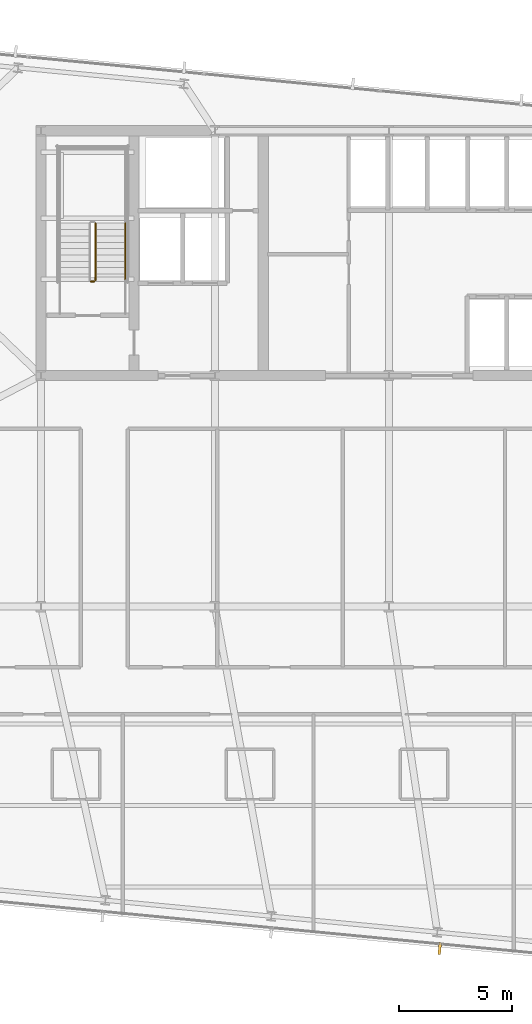
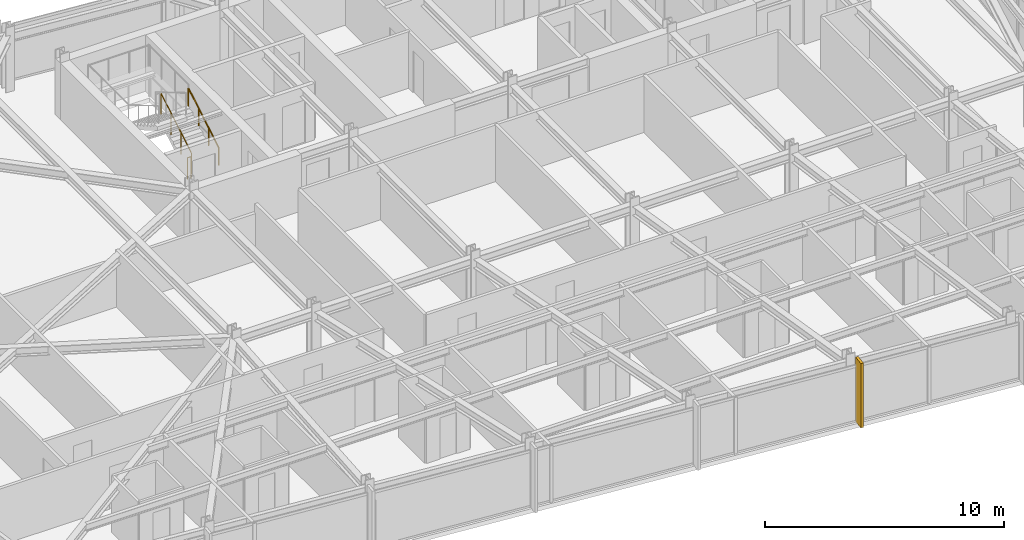
# One storey, part 34 of 37: 3 railings, 1 shading device.
"""IFC4 building model written with IfcOpenShell, lengths in metres."""

import ifcopenshell
import ifcopenshell.guid

model = None  # the IFC model being written
_history = None  # IfcOwnerHistory: only IFC2X3 demands one
_inside = {}  # id of a spatial element -> (the spatial element, [elements in it])
_under = {}  # id of a project, library or spatial element -> (it, [spatial elements below it])
_declared = {}  # id of a project -> (the project, [libraries it declares])
_typed = {}  # id of a type object -> (the type object, [elements of that type])
_made_of = {}  # id of a material, layer set ... -> (it, [elements and type objects made of it])


def new_model(schema):
    """Start an empty IFC model of exactly this schema.

    Asked for "IFC4X3", IfcOpenShell would pick the latest addendum, in which some entities
    have other attributes; the version numbers below select the first issue.
    IFC2X3 requires an IfcOwnerHistory on every rooted entity: one is made here for all.
    """
    global model, _history
    if schema == "IFC4X3":
        model = ifcopenshell.file(schema_version=(4, 3, 0, 0))
    else:
        model = ifcopenshell.file(schema=schema)
    _inside.clear()
    _under.clear()
    _declared.clear()
    _typed.clear()
    _made_of.clear()
    _history = None
    if model.schema == "IFC2X3":
        org = make("IfcOrganization", Name="unknown")
        user = make(
            "IfcPersonAndOrganization",
            ThePerson=make("IfcPerson", FamilyName="unknown"),
            TheOrganization=org,
        )
        app = make(
            "IfcApplication",
            ApplicationDeveloper=org,
            Version="unknown",
            ApplicationFullName="unknown",
            ApplicationIdentifier="unknown",
        )
        _history = make(
            "IfcOwnerHistory",
            OwningUser=user,
            OwningApplication=app,
            ChangeAction="ADDED",
            CreationDate=0,
        )
    return model


def make(cls, **values):
    """One entity of the class cls with the attributes given. An attribute that is None is left unset."""
    return model.create_entity(
        cls, **{name: value for name, value in values.items() if value is not None}
    )


def rooted(cls, **values):
    """An entity with a GlobalId (a new one), such as an element, a storey or a relation."""
    return make(cls, GlobalId=ifcopenshell.guid.new(), OwnerHistory=_history, **values)


def si_unit(unit_type, name, prefix=None):
    """IfcSIUnit, for example si_unit("LENGTHUNIT", "METRE", prefix="MILLI")."""
    return make("IfcSIUnit", UnitType=unit_type, Prefix=prefix, Name=name)


def assignment(units):
    """IfcUnitAssignment: the units of a project."""
    return None if units is None else make("IfcUnitAssignment", Units=units)


def point(xyz):
    """IfcCartesianPoint."""
    return None if xyz is None else make("IfcCartesianPoint", Coordinates=xyz)


def direction(xyz):
    """IfcDirection."""
    return None if xyz is None else make("IfcDirection", DirectionRatios=xyz)


def frame(location, z_axis=None, x_axis=None):
    """IfcAxis2Placement3D, a coordinate frame: its origin and axes. An axis left out is left unset."""
    return make(
        "IfcAxis2Placement3D",
        Location=point(location),
        Axis=direction(z_axis),
        RefDirection=direction(x_axis),
    )


def frame_2d(location, x_axis=None):
    """IfcAxis2Placement2D, a coordinate frame in the plane: its origin and x axis."""
    return make(
        "IfcAxis2Placement2D", Location=point(location), RefDirection=direction(x_axis)
    )


def origin():
    """The frame at (0, 0, 0) with its axes left unset."""
    return frame((0.0, 0.0, 0.0))


def origin_2d():
    """The frame at (0, 0) in the plane with its x axis left unset."""
    return frame_2d((0.0, 0.0))


def place(relative_to, where):
    """IfcLocalPlacement: puts the frame where relative to a parent placement (None: the world)."""
    return make(
        "IfcLocalPlacement", PlacementRelTo=relative_to, RelativePlacement=where
    )


def context(
    kind, dimensions, precision=None, world=None, true_north=None, identifier=None
):
    """IfcGeometricRepresentationContext, for example the 3D "Model" context."""
    return make(
        "IfcGeometricRepresentationContext",
        ContextIdentifier=identifier,
        ContextType=kind,
        CoordinateSpaceDimension=dimensions,
        Precision=precision,
        WorldCoordinateSystem=world,
        TrueNorth=true_north,
    )


def subcontext(parent, identifier, kind, view, scale=None):
    """IfcGeometricRepresentationSubContext, for example "Body" below "Model"."""
    return make(
        "IfcGeometricRepresentationSubContext",
        ContextIdentifier=identifier,
        ContextType=kind,
        ParentContext=parent,
        TargetScale=scale,
        TargetView=view,
    )


def project(units=None, contexts=None):
    """IfcProject with its units and contexts."""
    return rooted(
        "IfcProject",
        Name="project",
        RepresentationContexts=contexts,
        UnitsInContext=assignment(units),
    )


def spatial(cls, under=None, at=None, **own):
    """A site, building, storey or space (cls), placed at a placement, below another one or the project."""
    s = rooted(cls, ObjectPlacement=at, **own)
    if under is not None:
        _under.setdefault(under.id(), (under, []))[1].append(s)
    return s


def profile(cls, at=None, kind="AREA", **sizes):
    """A parametric profile (cls). Its sizes go by their IFC names, for example OverallWidth=200.0."""
    return make(cls, ProfileType=kind, Position=at, **sizes)


def rectangle(**sizes):
    """IfcRectangleProfileDef."""
    return profile("IfcRectangleProfileDef", **sizes)


def circle(**sizes):
    """IfcCircleProfileDef."""
    return profile("IfcCircleProfileDef", **sizes)


def extrude(swept, where, along, depth):
    """IfcExtrudedAreaSolid: the profile swept, set in the frame where, extruded along a direction by depth."""
    return make(
        "IfcExtrudedAreaSolid",
        SweptArea=swept,
        Position=where,
        ExtrudedDirection=direction(along),
        Depth=depth,
    )


def shape(context_of_items, identifier, shape_type, items):
    """IfcShapeRepresentation: the items that make up one representation, for example the "Body"."""
    return make(
        "IfcShapeRepresentation",
        ContextOfItems=context_of_items,
        RepresentationIdentifier=identifier,
        RepresentationType=shape_type,
        Items=items,
    )


def material(Name=None, Category=None):
    """IfcMaterial."""
    return make("IfcMaterial", Name=Name, Category=Category)


def layer(
    of_material, thickness, ventilated=None, Name=None, Category=None, Priority=None
):
    """IfcMaterialLayer: one layer of a wall or slab, of a material (None: an air gap)."""
    return make(
        "IfcMaterialLayer",
        Material=of_material,
        LayerThickness=thickness,
        IsVentilated=ventilated,
        Name=Name,
        Category=Category,
        Priority=Priority,
    )


def layer_set(layers, Name=None):
    """IfcMaterialLayerSet."""
    return make("IfcMaterialLayerSet", MaterialLayers=layers, LayerSetName=Name)


def made_of(thing, what):
    """Note that an element or type object is made of a material, layer set ...; save() writes the relation."""
    if what is not None:
        _made_of.setdefault(what.id(), (what, []))[1].append(thing)
    return thing


def type_object(cls, material=None, **own):
    """A type object (cls), such as IfcWallType, which elements share."""
    return made_of(rooted(cls, **own), material)


def element(
    cls,
    number,
    at=None,
    inside=None,
    cuts=None,
    type_object=None,
    material=None,
    context=None,
    identifier="Body",
    shape_type=None,
    held_by="IfcProductDefinitionShape",
    body=None,
    shapes=None,
    **own,
):
    """One element of the class cls, such as IfcWall. Its Tag is "e" and its number.

    at: its placement. inside: the storey or other place that contains it. cuts: it is an
    opening in that element (IfcRelVoidsElement). A single representation is given by context,
    identifier, shape_type and body (its items); several are given by shapes. held_by: the class
    of the entity that holds the representations. save() writes the other relations.
    """
    e = rooted(cls, Tag="e%d" % number, ObjectPlacement=at, **own)
    if body is not None:
        shapes = [shape(context, identifier, shape_type, body)]
    if shapes is not None:
        e.Representation = make(held_by, Representations=shapes)
    if inside is not None:
        _inside.setdefault(inside.id(), (inside, []))[1].append(e)
    if cuts is not None:
        rooted(
            "IfcRelVoidsElement", RelatingBuildingElement=cuts, RelatedOpeningElement=e
        )
    if type_object is not None:
        _typed.setdefault(type_object.id(), (type_object, []))[1].append(e)
    return made_of(e, material)


def aggregate(whole, parts):
    """IfcRelAggregates: a whole, such as a stair, and the parts it consists of."""
    return rooted("IfcRelAggregates", RelatingObject=whole, RelatedObjects=parts)


def save(model, path):
    """Write the relations noted so far, then the file.

    IfcRelAggregates (storeys below a building ...), IfcRelContainedInSpatialStructure (elements
    in a storey), IfcRelDefinesByType, IfcRelAssociatesMaterial and IfcRelDeclares: one each for
    every whole, place, type object, material and project.
    """
    for whole, parts in _under.values():
        aggregate(whole, parts)
    for where, things in _inside.values():
        rooted(
            "IfcRelContainedInSpatialStructure",
            RelatedElements=things,
            RelatingStructure=where,
        )
    for kind, things in _typed.values():
        rooted("IfcRelDefinesByType", RelatedObjects=things, RelatingType=kind)
    for what, things in _made_of.values():
        rooted("IfcRelAssociatesMaterial", RelatedObjects=things, RelatingMaterial=what)
    for by, libraries in _declared.values():
        rooted("IfcRelDeclares", RelatingContext=by, RelatedDefinitions=libraries)
    model.write(path)


model = new_model("IFC4")

# Units and contexts
model_context = context("Model", 3, precision=1e-05, world=origin(), true_north=direction((0.0, 1.0)))
body_context = subcontext(model_context, "Body", "Model", "MODEL_VIEW")
ifc_project = project(units=[si_unit("LENGTHUNIT", "METRE"), si_unit("AREAUNIT", "SQUARE_METRE"), si_unit("VOLUMEUNIT", "CUBIC_METRE"), si_unit("PLANEANGLEUNIT", "RADIAN"), si_unit("MASSUNIT", "GRAM", prefix="KILO")], contexts=[model_context])

# Site, building, storey
site_placement = place(None, origin())
site = spatial("IfcSite", under=ifc_project, at=site_placement, CompositionType="ELEMENT")
building_placement = place(site_placement, origin())
building = spatial("IfcBuilding", under=site, at=building_placement, Name="Yelkora Congress Tower", CompositionType="ELEMENT")
storey_placement = place(building_placement, frame((0.0, 0.0, 188.60009765625)))
storey = spatial("IfcBuildingStorey", under=building, at=storey_placement, Name="L52", CompositionType="ELEMENT", Elevation=188.60009765625)

# Railings
ifc_material_1 = material(Name="Painted galvanised steel stair well guard with vertical infill", Category="steel")
ifc_layer_1 = layer(ifc_material_1, 0.06005859375)
ifc_layer_set_1 = layer_set([ifc_layer_1], Name="Painted galvanised steel stair well guard with vertical infill")
railing_type_1 = type_object("IfcRailingType", Name="RAIL-STAIR-GUARD-1120", PredefinedType="GUARDRAIL", material=ifc_layer_set_1)
railing_1_placement = place(storey_placement, frame((25.449951171875, 39.60009765625, 0.164794921875)))
element("IfcRailing", 1, at=railing_1_placement, inside=storey, type_object=railing_type_1, Name="ST-01 L52 Stair Well Guardrail 1", PredefinedType="GUARDRAIL", context=body_context, shape_type="SweptSolid", body=[
    extrude(circle(Radius=0.02392578125, at=origin_2d()), frame((0.0, 0.0, 1.09619140625), z_axis=(0.0, 0.86152411907, 0.507716645641), x_axis=(-1.0, 0.0, 0.0)), (0.0, 0.0, 1.0), 2.925048828125),
    extrude(circle(Radius=0.02099609375, at=origin_2d()), origin(), (0.0, 0.0, 1.0), 1.072021484375),
    extrude(circle(Radius=0.02099609375, at=origin_2d()), frame((0.0, 0.840087890625, 0.4951171875)), (0.0, 0.0, 1.0), 1.072021484375),
    extrude(circle(Radius=0.02099609375, at=origin_2d()), frame((0.0, 1.679931640625, 0.989990234375)), (0.0, 0.0, 1.0), 1.072021484375),
    extrude(circle(Radius=0.02099609375, at=origin_2d()), frame((0.0, 2.52001953125, 1.485107421875)), (0.0, 0.0, 1.0), 1.072021484375),
])
railing_2_placement = place(storey_placement, frame((25.39990234375, 39.550048828125, 0.0)))
element("IfcRailing", 2, at=railing_2_placement, inside=storey, type_object=railing_type_1, Name="ST-01 L52 Stair Well Guardrail 7", PredefinedType="GUARDRAIL", context=body_context, shape_type="SweptSolid", body=[
    extrude(circle(Radius=0.02392578125, at=origin_2d()), frame((0.0, 0.0, 1.09619140625), z_axis=(-1.0, 0.0, 0.0), x_axis=(0.0, -1.0, 0.0)), (0.0, 0.0, 1.0), 0.159912109375),
    extrude(circle(Radius=0.02099609375, at=origin_2d()), origin(), (0.0, 0.0, 1.0), 1.072021484375),
    extrude(circle(Radius=0.02099609375, at=origin_2d()), frame((-0.159912109375, 0.0, 0.0)), (0.0, 0.0, 1.0), 1.072021484375),
])
ifc_material_2 = material(Name="Brushed stainless steel tubular handrail", Category="steel")
ifc_layer_2 = layer(ifc_material_2, 0.050048828125)
ifc_layer_set_2 = layer_set([ifc_layer_2], Name="Brushed stainless steel tubular handrail")
railing_type_2 = type_object("IfcRailingType", Name="RAIL-STAIR-HAND-920", PredefinedType="HANDRAIL", material=ifc_layer_set_2)
railing_3_placement = place(storey_placement, frame((26.77001953125, 39.60009765625, 0.164794921875)))
element("IfcRailing", 3, at=railing_3_placement, inside=storey, type_object=railing_type_2, Name="ST-01 L52 Pitch Handrail 1", PredefinedType="HANDRAIL", context=body_context, shape_type="SweptSolid", body=[
    extrude(circle(Radius=0.02392578125, at=origin_2d()), frame((0.0, 0.0, 0.89599609375), z_axis=(0.0, 0.86152411907, 0.507716645641), x_axis=(-1.0, 0.0, 0.0)), (0.0, 0.0, 1.0), 2.925048828125),
    extrude(circle(Radius=0.02099609375, at=origin_2d()), origin(), (0.0, 0.0, 1.0), 0.871826171875),
    extrude(circle(Radius=0.02099609375, at=origin_2d()), frame((0.0, 0.840087890625, 0.4951171875)), (0.0, 0.0, 1.0), 0.871826171875),
    extrude(circle(Radius=0.02099609375, at=origin_2d()), frame((0.0, 1.679931640625, 0.989990234375)), (0.0, 0.0, 1.0), 0.871826171875),
    extrude(circle(Radius=0.02099609375, at=origin_2d()), frame((0.0, 2.52001953125, 1.485107421875)), (0.0, 0.0, 1.0), 0.871826171875),
])

# Shading device
ifc_material_3 = material(Name="Champagne anodised aluminium", Category="aluminium")
ifc_layer_3 = layer(ifc_material_3, 3.300048828125)
ifc_layer_set_3 = layer_set([ifc_layer_3], Name="Champagne anodised aluminium")
shading_device_type = type_object("IfcShadingDeviceType", Name="SHD-FIN-ALU-520", PredefinedType="USERDEFINED", material=ifc_layer_set_3)
shading_device_placement = place(storey_placement, frame((40.642333984375, 10.10791015625, -0.0302734375), z_axis=(0.0, 0.0, 1.0), x_axis=(-0.995396198367, 0.09584575252, 0.0)))
element("IfcShadingDevice", 4, at=shading_device_placement, inside=storey, type_object=shading_device_type, Name="L52 Vertical Anodised Solar Fin 20-2", ObjectType="FIN", PredefinedType="USERDEFINED", context=body_context, shape_type="SweptSolid", body=[
    extrude(rectangle(XDim=0.1201171875, YDim=0.52001953125, at=origin_2d()), origin(), (0.0, 0.0, 1.0), 3.280029296875),
])

save(model, "model.ifc")
